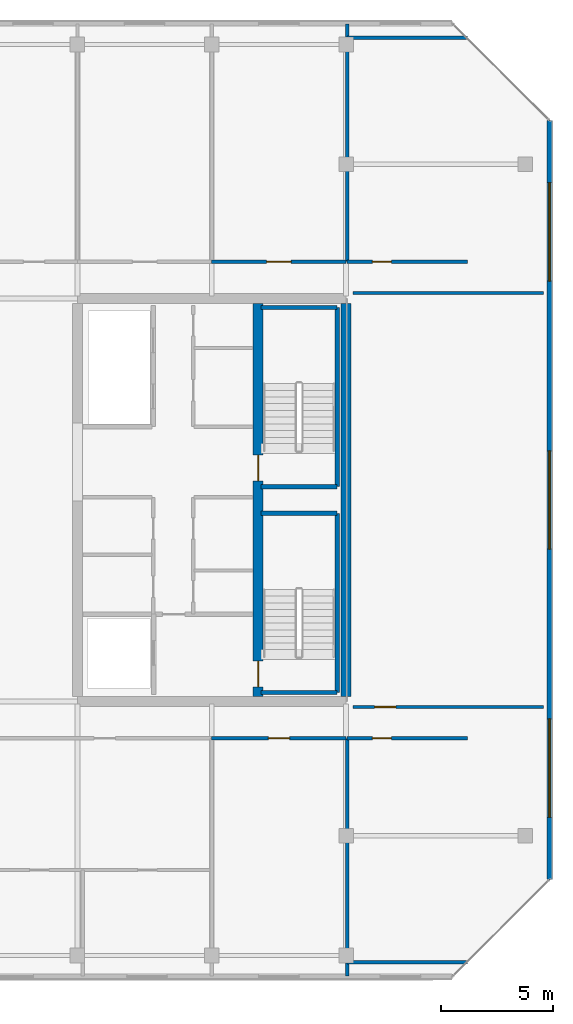
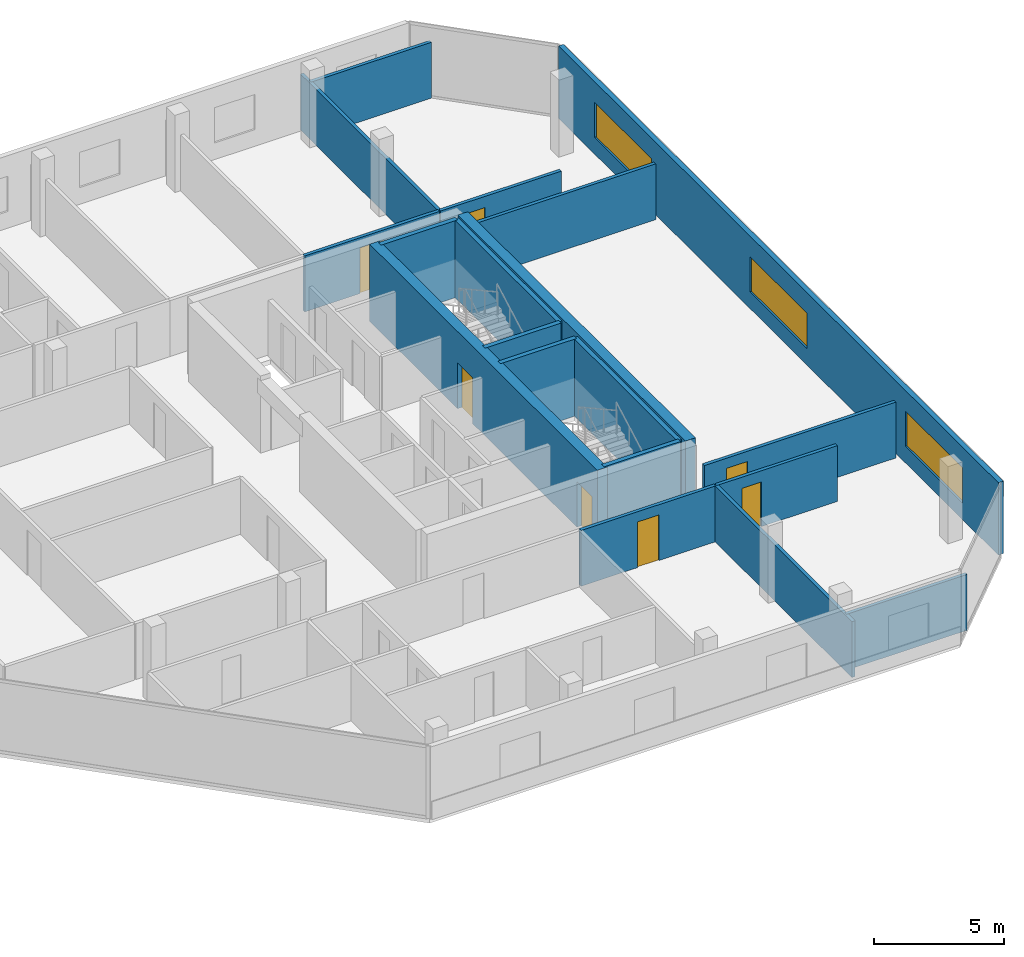
# One storey, part 24 of 28: 19 walls, 7 doors, 3 windows, 10 openings.
"""IFC4 building model written with IfcOpenShell, lengths in metres."""

from ifc_helpers import new_model, si_unit, direction, frame, frame_2d, origin, place, context, subcontext, project, spatial, rectangle, extrude, material, layer, layer_set, type_object, element, fill, save


model = new_model("IFC4")

# Units and contexts
model_context = context("Model", 3, precision=1e-05, world=origin(), true_north=direction((0.0, 1.0)))
body_context = subcontext(model_context, "Body", "Model", "MODEL_VIEW")
ifc_project = project(units=[si_unit("LENGTHUNIT", "METRE"), si_unit("AREAUNIT", "SQUARE_METRE"), si_unit("VOLUMEUNIT", "CUBIC_METRE"), si_unit("PLANEANGLEUNIT", "RADIAN"), si_unit("MASSUNIT", "GRAM", prefix="KILO")], contexts=[model_context])

# Site, building, storey
site_placement = place(None, origin())
site = spatial("IfcSite", under=ifc_project, at=site_placement, CompositionType="ELEMENT")
building_placement = place(site_placement, origin())
building = spatial("IfcBuilding", under=site, at=building_placement, Name="Tanjung Sevakor Pilgrim Tower", CompositionType="ELEMENT")
storey_placement = place(building_placement, frame((0.0, 0.0, 249.81005859375)))
storey = spatial("IfcBuildingStorey", under=building, at=storey_placement, Name="L70", CompositionType="ELEMENT", Elevation=249.81005859375)

# Wall
ifc_material_1 = material(Name="Concrete C60/75", Category="concrete")
ifc_layer_1 = layer(ifc_material_1, 0.449951171875)
ifc_layer_set_1 = layer_set([ifc_layer_1], Name="WALL-CW-450")
wall_type_1 = type_object("IfcWallType", Name="WALL-CW-450", PredefinedType="SHEAR", material=ifc_layer_set_1)
wall_1_placement = place(storey_placement, frame((90.0, 24.824951171875, 0.0), z_axis=(0.0, 0.0, 1.0), x_axis=(0.0, 1.0, 0.0)))
element("IfcWall", 1, at=wall_1_placement, inside=storey, type_object=wall_type_1, Name="L70 E Core Outer Shear Wall", PredefinedType="SHEAR", context=body_context, shape_type="SweptSolid", body=[
    extrude(rectangle(XDim=17.550048828125, YDim=0.449951171875, at=frame_2d((8.77490234375, 0.0))), origin(), (0.0, 0.0, 1.0), 3.6298828125),
])

# Wall, openings, doors
wall_2_placement = place(storey_placement, frame((86.074951171875, 24.824951171875, 0.0), z_axis=(0.0, 0.0, 1.0), x_axis=(0.0, 1.0, 0.0)))
wall_2 = element("IfcWall", 2, at=wall_2_placement, inside=storey, type_object=wall_type_1, Name="L70 E Core Stair Spine Wall", PredefinedType="SHEAR", context=body_context, shape_type="SweptSolid", body=[
    extrude(rectangle(XDim=17.550048828125, YDim=0.449951171875, at=frame_2d((8.77490234375, 0.0))), origin(), (0.0, 0.0, 1.0), 3.6298828125),
])
opening_1_placement = place(wall_2_placement, frame((0.425048828125, 0.0, 0.0)))
opening_1 = element("IfcOpeningElement", 3, at=opening_1_placement, cuts=wall_2, Name="Opening ID-ST1", PredefinedType="OPENING", context=body_context, shape_type="SweptSolid", body=[
    extrude(rectangle(XDim=1.14990234375, YDim=2.14990234375, at=frame_2d((0.574951171875, 1.074951171875))), frame((0.0, 0.23486328125, 0.0), z_axis=(0.0, -1.0, 0.0), x_axis=(1.0, 0.0, 0.0)), (0.0, 0.0, 1.0), 0.469970703125),
])
opening_2_placement = place(wall_2_placement, frame((9.625, 0.0, 0.0)))
opening_2 = element("IfcOpeningElement", 4, at=opening_2_placement, cuts=wall_2, Name="Opening ID-ST1", PredefinedType="OPENING", context=body_context, shape_type="SweptSolid", body=[
    extrude(rectangle(XDim=1.14990234375, YDim=2.14990234375, at=frame_2d((0.574951171875, 1.074951171875))), frame((0.0, 0.23486328125, 0.0), z_axis=(0.0, -1.0, 0.0), x_axis=(1.0, 0.0, 0.0)), (0.0, 0.0, 1.0), 0.469970703125),
])
ifc_material_2 = material(Name="Fire-Rated Steel S355J2", Category="steel")
door_type_1 = type_object("IfcDoorType", Name="DT-FIRE-1150", OperationType="NOTDEFINED", PredefinedType="DOOR", material=ifc_material_2)
door_1_placement = place(opening_1_placement, origin())
door_1 = element("IfcDoor", 5, at=door_1_placement, inside=storey, type_object=door_type_1, Name="L70 TS-E1 Stair Fire Door", OperationType="SINGLE_SWING_LEFT", OverallHeight=2.14990234375, OverallWidth=1.14990234375, PredefinedType="DOOR", context=body_context, shape_type="SweptSolid", body=[
    extrude(rectangle(XDim=1.14990234375, YDim=2.14990234375, at=frame_2d((0.574951171875, 1.074951171875))), frame((0.0, 0.02490234375, 0.0), z_axis=(0.0, -1.0, 0.0), x_axis=(1.0, 0.0, 0.0)), (0.0, 0.0, 1.0), 0.050048828125),
])
fill(opening_1, door_1)
door_2_placement = place(opening_2_placement, origin())
door_2 = element("IfcDoor", 6, at=door_2_placement, inside=storey, type_object=door_type_1, Name="L70 TS-E2 Stair Fire Door", OperationType="SINGLE_SWING_RIGHT", OverallHeight=2.14990234375, OverallWidth=1.14990234375, PredefinedType="DOOR", context=body_context, shape_type="SweptSolid", body=[
    extrude(rectangle(XDim=1.14990234375, YDim=2.14990234375, at=frame_2d((0.574951171875, 1.074951171875))), frame((0.0, 0.02490234375, 0.0), z_axis=(0.0, -1.0, 0.0), x_axis=(1.0, 0.0, 0.0)), (0.0, 0.0, 1.0), 0.050048828125),
])
fill(opening_2, door_2)

# Wall, opening, door
ifc_material_3 = material(Name="Concrete C40/50", Category="concrete")
ifc_layer_2 = layer(ifc_material_3, 0.14990234375)
ifc_layer_set_2 = layer_set([ifc_layer_2], Name="WT-COMP-150")
wall_type_2 = type_object("IfcWallType", Name="WT-COMP-150", PredefinedType="SOLIDWALL", material=ifc_layer_set_2)
wall_3_placement = place(storey_placement, frame((90.300048828125, 24.35009765625, 0.0), z_axis=(0.0, 0.0, 1.0), x_axis=(1.0, 0.0, 0.0)))
wall_3 = element("IfcWall", 7, at=wall_3_placement, inside=storey, type_object=wall_type_2, Name="L70 Partition IW-L70-043", PredefinedType="SOLIDWALL", context=body_context, shape_type="SweptSolid", body=[
    extrude(rectangle(XDim=8.52001953125, YDim=0.14990234375, at=frame_2d((4.260009765625, 0.0))), origin(), (0.0, 0.0, 1.0), 2.6298828125),
])
opening_3_placement = place(wall_3_placement, frame((0.97509765625, 0.0, 0.0)))
opening_3 = element("IfcOpeningElement", 8, at=opening_3_placement, cuts=wall_3, Name="Opening ID-RM1", PredefinedType="OPENING", context=body_context, shape_type="SweptSolid", body=[
    extrude(rectangle(XDim=0.949951171875, YDim=2.14990234375, at=frame_2d((0.47509765625, 1.074951171875))), frame((0.0, 0.0849609375, 0.0), z_axis=(0.0, -1.0, 0.0), x_axis=(1.0, 0.0, 0.0)), (0.0, 0.0, 1.0), 0.169921875),
])
ifc_material_4 = material(Name="Hardwood Timber", Category="wood")
door_type_2 = type_object("IfcDoorType", Name="DT-INT-950", OperationType="NOTDEFINED", PredefinedType="DOOR", material=ifc_material_4)
door_3_placement = place(opening_3_placement, origin())
door_3 = element("IfcDoor", 9, at=door_3_placement, inside=storey, type_object=door_type_2, Name="L70 East Crown Sanctuary Door", OperationType="SINGLE_SWING_RIGHT", OverallHeight=2.14990234375, OverallWidth=0.949951171875, PredefinedType="DOOR", context=body_context, shape_type="SweptSolid", body=[
    extrude(rectangle(XDim=0.949951171875, YDim=2.14990234375, at=frame_2d((0.47509765625, 1.074951171875))), frame((0.0, 0.02490234375, 0.0), z_axis=(0.0, -1.0, 0.0), x_axis=(1.0, 0.0, 0.0)), (0.0, 0.0, 1.0), 0.050048828125),
])
fill(opening_3, door_3)

# Walls
wall_4_placement = place(storey_placement, frame((90.300048828125, 42.85009765625, 0.0), z_axis=(0.0, 0.0, 1.0), x_axis=(1.0, 0.0, 0.0)))
element("IfcWall", 10, at=wall_4_placement, inside=storey, type_object=wall_type_2, Name="L70 Partition IW-L70-044", PredefinedType="SOLIDWALL", context=body_context, shape_type="SweptSolid", body=[
    extrude(rectangle(XDim=8.52001953125, YDim=0.14990234375, at=frame_2d((4.260009765625, 0.0))), origin(), (0.0, 0.0, 1.0), 2.6298828125),
])
wall_5_placement = place(storey_placement, frame((90.050048828125, 12.949951171875, 0.0), z_axis=(0.0, 0.0, 1.0), x_axis=(1.0, 0.0, 0.0)))
element("IfcWall", 11, at=wall_5_placement, inside=storey, type_object=wall_type_2, Name="L70 Partition IW-L70-045", PredefinedType="SOLIDWALL", context=body_context, shape_type="SweptSolid", body=[
    extrude(rectangle(XDim=5.369873046875, YDim=0.14990234375, at=frame_2d((2.68505859375, 0.0))), origin(), (0.0, 0.0, 1.0), 2.6298828125),
])

# Wall, opening, door
wall_6_placement = place(storey_placement, frame((90.050048828125, 22.949951171875, 0.0), z_axis=(0.0, 0.0, 1.0), x_axis=(1.0, 0.0, 0.0)))
wall_6 = element("IfcWall", 12, at=wall_6_placement, inside=storey, type_object=wall_type_2, Name="L70 Partition IW-L70-046", PredefinedType="SOLIDWALL", context=body_context, shape_type="SweptSolid", body=[
    extrude(rectangle(XDim=5.369873046875, YDim=0.14990234375, at=frame_2d((2.68505859375, 0.0))), origin(), (0.0, 0.0, 1.0), 2.6298828125),
])
opening_4_placement = place(wall_6_placement, frame((1.125, 0.0, 0.0)))
opening_4 = element("IfcOpeningElement", 13, at=opening_4_placement, cuts=wall_6, Name="Opening ID-WC1", PredefinedType="OPENING", context=body_context, shape_type="SweptSolid", body=[
    extrude(rectangle(XDim=0.85009765625, YDim=2.10009765625, at=frame_2d((0.425048828125, 1.050048828125))), frame((0.0, 0.0849609375, 0.0), z_axis=(0.0, -1.0, 0.0), x_axis=(1.0, 0.0, 0.0)), (0.0, 0.0, 1.0), 0.169921875),
])
ifc_material_5 = material(Name="Moisture-Resistant Timber", Category="wood")
door_type_3 = type_object("IfcDoorType", Name="DT-INT-850", OperationType="NOTDEFINED", PredefinedType="DOOR", material=ifc_material_5)
door_4_placement = place(opening_4_placement, origin())
door_4 = element("IfcDoor", 14, at=door_4_placement, inside=storey, type_object=door_type_3, Name="L70 SE Crown Study Door", OperationType="SINGLE_SWING_LEFT", OverallHeight=2.10009765625, OverallWidth=0.85009765625, PredefinedType="DOOR", context=body_context, shape_type="SweptSolid", body=[
    extrude(rectangle(XDim=0.85009765625, YDim=2.10009765625, at=frame_2d((0.425048828125, 1.050048828125))), frame((0.0, 0.02490234375, 0.0), z_axis=(0.0, -1.0, 0.0), x_axis=(1.0, 0.0, 0.0)), (0.0, 0.0, 1.0), 0.050048828125),
])
fill(opening_4, door_4)

# Wall
wall_7_placement = place(storey_placement, frame((90.050048828125, 12.340087890625, 0.0), z_axis=(0.0, 0.0, 1.0), x_axis=(0.0, 1.0, 0.0)))
element("IfcWall", 15, at=wall_7_placement, inside=storey, type_object=wall_type_2, Name="L70 Partition IW-L70-047", PredefinedType="SOLIDWALL", context=body_context, shape_type="SweptSolid", body=[
    extrude(rectangle(XDim=10.60986328125, YDim=0.14990234375, at=frame_2d((5.304931640625, 0.0))), origin(), (0.0, 0.0, 1.0), 2.6298828125),
])

# Wall, opening, door
wall_8_placement = place(storey_placement, frame((90.050048828125, 44.25, 0.0), z_axis=(0.0, 0.0, 1.0), x_axis=(1.0, 0.0, 0.0)))
wall_8 = element("IfcWall", 16, at=wall_8_placement, inside=storey, type_object=wall_type_2, Name="L70 Partition IW-L70-048", PredefinedType="SOLIDWALL", context=body_context, shape_type="SweptSolid", body=[
    extrude(rectangle(XDim=5.369873046875, YDim=0.14990234375, at=frame_2d((2.68505859375, 0.0))), origin(), (0.0, 0.0, 1.0), 2.6298828125),
])
opening_5_placement = place(wall_8_placement, frame((1.125, 0.0, 0.0)))
opening_5 = element("IfcOpeningElement", 17, at=opening_5_placement, cuts=wall_8, Name="Opening ID-WC1", PredefinedType="OPENING", context=body_context, shape_type="SweptSolid", body=[
    extrude(rectangle(XDim=0.85009765625, YDim=2.10009765625, at=frame_2d((0.425048828125, 1.050048828125))), frame((0.0, 0.0849609375, 0.0), z_axis=(0.0, -1.0, 0.0), x_axis=(1.0, 0.0, 0.0)), (0.0, 0.0, 1.0), 0.169921875),
])
door_5_placement = place(opening_5_placement, origin())
door_5 = element("IfcDoor", 18, at=door_5_placement, inside=storey, type_object=door_type_3, Name="L70 NE Crown Lounge Door", OperationType="SINGLE_SWING_RIGHT", OverallHeight=2.10009765625, OverallWidth=0.85009765625, PredefinedType="DOOR", context=body_context, shape_type="SweptSolid", body=[
    extrude(rectangle(XDim=0.85009765625, YDim=2.10009765625, at=frame_2d((0.425048828125, 1.050048828125))), frame((0.0, 0.02490234375, 0.0), z_axis=(0.0, -1.0, 0.0), x_axis=(1.0, 0.0, 0.0)), (0.0, 0.0, 1.0), 0.050048828125),
])
fill(opening_5, door_5)

# Walls
wall_9_placement = place(storey_placement, frame((90.050048828125, 54.25, 0.0), z_axis=(0.0, 0.0, 1.0), x_axis=(1.0, 0.0, 0.0)))
element("IfcWall", 19, at=wall_9_placement, inside=storey, type_object=wall_type_2, Name="L70 Partition IW-L70-049", PredefinedType="SOLIDWALL", context=body_context, shape_type="SweptSolid", body=[
    extrude(rectangle(XDim=5.369873046875, YDim=0.14990234375, at=frame_2d((2.68505859375, 0.0))), origin(), (0.0, 0.0, 1.0), 2.6298828125),
])
wall_10_placement = place(storey_placement, frame((90.050048828125, 44.25, 0.0), z_axis=(0.0, 0.0, 1.0), x_axis=(0.0, 1.0, 0.0)))
element("IfcWall", 20, at=wall_10_placement, inside=storey, type_object=wall_type_2, Name="L70 Partition IW-L70-050", PredefinedType="SOLIDWALL", context=body_context, shape_type="SweptSolid", body=[
    extrude(rectangle(XDim=10.610107421875, YDim=0.14990234375, at=frame_2d((5.30517578125, 0.0))), origin(), (0.0, 0.0, 1.0), 2.6298828125),
])

# Wall, opening, door
wall_11_placement = place(storey_placement, frame((84.0, 22.949951171875, 0.0), z_axis=(0.0, 0.0, 1.0), x_axis=(1.0, 0.0, 0.0)))
wall_11 = element("IfcWall", 21, at=wall_11_placement, inside=storey, type_object=wall_type_2, Name="L70 Partition IW-L70-057", PredefinedType="SOLIDWALL", context=body_context, shape_type="SweptSolid", body=[
    extrude(rectangle(XDim=6.0, YDim=0.14990234375, at=frame_2d((3.0, 0.0))), origin(), (0.0, 0.0, 1.0), 2.6298828125),
])
opening_6_placement = place(wall_11_placement, frame((2.52490234375, 0.0, 0.0)))
opening_6 = element("IfcOpeningElement", 22, at=opening_6_placement, cuts=wall_11, Name="Opening ID-FD2", PredefinedType="OPENING", context=body_context, shape_type="SweptSolid", body=[
    extrude(rectangle(XDim=0.949951171875, YDim=2.14990234375, at=frame_2d((0.47509765625, 1.074951171875))), frame((0.0, 0.0849609375, 0.0), z_axis=(0.0, -1.0, 0.0), x_axis=(1.0, 0.0, 0.0)), (0.0, 0.0, 1.0), 0.169921875),
])
ifc_material_6 = material(Name="Fire-Rated Timber", Category="wood")
door_type_4 = type_object("IfcDoorType", Name="DT-FIRE-950", OperationType="NOTDEFINED", PredefinedType="DOOR", material=ifc_material_6)
door_6_placement = place(opening_6_placement, origin())
door_6 = element("IfcDoor", 23, at=door_6_placement, inside=storey, type_object=door_type_4, Name="Housekeeping Pantry Door", OperationType="SINGLE_SWING_RIGHT", OverallHeight=2.14990234375, OverallWidth=0.949951171875, PredefinedType="DOOR", context=body_context, shape_type="SweptSolid", body=[
    extrude(rectangle(XDim=0.949951171875, YDim=2.14990234375, at=frame_2d((0.47509765625, 1.074951171875))), frame((0.0, 0.02490234375, 0.0), z_axis=(0.0, -1.0, 0.0), x_axis=(1.0, 0.0, 0.0)), (0.0, 0.0, 1.0), 0.050048828125),
])
fill(opening_6, door_6)

wall_12_placement = place(storey_placement, frame((84.0, 44.25, 0.0), z_axis=(0.0, 0.0, 1.0), x_axis=(1.0, 0.0, 0.0)))
wall_12 = element("IfcWall", 24, at=wall_12_placement, inside=storey, type_object=wall_type_2, Name="L70 Partition IW-L70-064", PredefinedType="SOLIDWALL", context=body_context, shape_type="SweptSolid", body=[
    extrude(rectangle(XDim=6.0, YDim=0.14990234375, at=frame_2d((3.0, 0.0))), origin(), (0.0, 0.0, 1.0), 2.6298828125),
])
opening_7_placement = place(wall_12_placement, frame((2.449951171875, 0.0, 0.0)))
opening_7 = element("IfcOpeningElement", 25, at=opening_7_placement, cuts=wall_12, Name="Opening ID-FD0", PredefinedType="OPENING", context=body_context, shape_type="SweptSolid", body=[
    extrude(rectangle(XDim=1.10009765625, YDim=2.14990234375, at=frame_2d((0.550048828125, 1.074951171875))), frame((0.0, 0.0849609375, 0.0), z_axis=(0.0, -1.0, 0.0), x_axis=(1.0, 0.0, 0.0)), (0.0, 0.0, 1.0), 0.169921875),
])
ifc_material_7 = material(Name="Fire-Rated Steel S355J2", Category="steel")
door_type_5 = type_object("IfcDoorType", Name="DT-FIRE-1100", OperationType="NOTDEFINED", PredefinedType="DOOR", material=ifc_material_7)
door_7_placement = place(opening_7_placement, origin())
door_7 = element("IfcDoor", 26, at=door_7_placement, inside=storey, type_object=door_type_5, Name="Communal Lounge Door", OperationType="SINGLE_SWING_LEFT", OverallHeight=2.14990234375, OverallWidth=1.10009765625, PredefinedType="DOOR", context=body_context, shape_type="SweptSolid", body=[
    extrude(rectangle(XDim=1.10009765625, YDim=2.14990234375, at=frame_2d((0.550048828125, 1.074951171875))), frame((0.0, 0.02490234375, 0.0), z_axis=(0.0, -1.0, 0.0), x_axis=(1.0, 0.0, 0.0)), (0.0, 0.0, 1.0), 0.050048828125),
])
fill(opening_7, door_7)

# Wall, openings, windows
ifc_material_8 = material(Name="Precast concrete C45/55", Category="concrete")
ifc_layer_3 = layer(ifc_material_8, 0.219970703125)
ifc_layer_set_3 = layer_set([ifc_layer_3], Name="WT-EW-STN4")
wall_type_3 = type_object("IfcWallType", Name="WT-EW-STN4", PredefinedType="SOLIDWALL", material=ifc_layer_set_3)
wall_13_placement = place(storey_placement, frame((99.090087890625, 16.6455078125, 0.0), z_axis=(0.0, 0.0, 1.0), x_axis=(0.0, 1.0, 0.0)))
wall_13 = element("IfcWall", 27, at=wall_13_placement, inside=storey, type_object=wall_type_3, Name="L70 EAST Exterior Wall 3", PredefinedType="SOLIDWALL", context=body_context, shape_type="SweptSolid", body=[
    extrude(rectangle(XDim=33.908935546875, YDim=0.219970703125, at=frame_2d((16.95458984375, 0.0))), origin(), (0.0, 0.0, 1.0), 3.409912109375),
])
opening_8_placement = place(wall_13_placement, frame((14.75439453125, 0.0, 0.780029296875)))
opening_8 = element("IfcOpeningElement", 28, at=opening_8_placement, cuts=wall_13, Name="Opening WN-ENDW-1660", PredefinedType="OPENING", context=body_context, shape_type="SweptSolid", body=[
    extrude(rectangle(XDim=4.39990234375, YDim=1.659912109375, at=frame_2d((2.199951171875, 0.830078125))), frame((0.0, 0.119873046875, 0.0), z_axis=(0.0, -1.0, 0.0), x_axis=(1.0, 0.0, 0.0)), (0.0, 0.0, 1.0), 0.239990234375),
])
opening_9_placement = place(wall_13_placement, frame((2.772216796875, 0.0, 0.780029296875)))
opening_9 = element("IfcOpeningElement", 29, at=opening_9_placement, cuts=wall_13, Name="Opening WN-ENDW-1660", PredefinedType="OPENING", context=body_context, shape_type="SweptSolid", body=[
    extrude(rectangle(XDim=4.39990234375, YDim=1.659912109375, at=frame_2d((2.199951171875, 0.830078125))), frame((0.0, 0.119873046875, 0.0), z_axis=(0.0, -1.0, 0.0), x_axis=(1.0, 0.0, 0.0)), (0.0, 0.0, 1.0), 0.239990234375),
])
opening_10_placement = place(wall_13_placement, frame((26.736572265625, 0.0, 0.780029296875)))
opening_10 = element("IfcOpeningElement", 30, at=opening_10_placement, cuts=wall_13, Name="Opening WN-ENDW-1660", PredefinedType="OPENING", context=body_context, shape_type="SweptSolid", body=[
    extrude(rectangle(XDim=4.39990234375, YDim=1.659912109375, at=frame_2d((2.199951171875, 0.830078125))), frame((0.0, 0.119873046875, 0.0), z_axis=(0.0, -1.0, 0.0), x_axis=(1.0, 0.0, 0.0)), (0.0, 0.0, 1.0), 0.239990234375),
])
ifc_material_9 = material(Name="Thermally Broken Aluminium and Low-E Glass", Category="aluminium")
window_type = type_object("IfcWindowType", Name="WTYP-WN-ENDW-1660", PartitioningType="DOUBLE_PANEL_VERTICAL", PredefinedType="WINDOW", material=ifc_material_9)
window_1_placement = place(opening_8_placement, origin())
window_1 = element("IfcWindow", 31, at=window_1_placement, inside=storey, type_object=window_type, Name="L70 Facade Window 01", OverallHeight=1.659912109375, OverallWidth=4.39990234375, PartitioningType="SINGLE_PANEL", PredefinedType="WINDOW", context=body_context, shape_type="SweptSolid", body=[
    extrude(rectangle(XDim=4.39990234375, YDim=1.659912109375, at=frame_2d((2.199951171875, 0.830078125))), frame((0.0, 0.030029296875, 0.0), z_axis=(0.0, -1.0, 0.0), x_axis=(1.0, 0.0, 0.0)), (0.0, 0.0, 1.0), 0.06005859375),
])
fill(opening_8, window_1)
window_2_placement = place(opening_9_placement, origin())
window_2 = element("IfcWindow", 32, at=window_2_placement, inside=storey, type_object=window_type, Name="L70 Facade Window 02", OverallHeight=1.659912109375, OverallWidth=4.39990234375, PartitioningType="SINGLE_PANEL", PredefinedType="WINDOW", context=body_context, shape_type="SweptSolid", body=[
    extrude(rectangle(XDim=4.39990234375, YDim=1.659912109375, at=frame_2d((2.199951171875, 0.830078125))), frame((0.0, 0.030029296875, 0.0), z_axis=(0.0, -1.0, 0.0), x_axis=(1.0, 0.0, 0.0)), (0.0, 0.0, 1.0), 0.06005859375),
])
fill(opening_9, window_2)
window_3_placement = place(opening_10_placement, origin())
window_3 = element("IfcWindow", 33, at=window_3_placement, inside=storey, type_object=window_type, Name="L70 Facade Window 03", OverallHeight=1.659912109375, OverallWidth=4.39990234375, PartitioningType="SINGLE_PANEL", PredefinedType="WINDOW", context=body_context, shape_type="SweptSolid", body=[
    extrude(rectangle(XDim=4.39990234375, YDim=1.659912109375, at=frame_2d((2.199951171875, 0.830078125))), frame((0.0, 0.030029296875, 0.0), z_axis=(0.0, -1.0, 0.0), x_axis=(1.0, 0.0, 0.0)), (0.0, 0.0, 1.0), 0.06005859375),
])
fill(opening_10, window_3)

# Walls
ifc_material_10 = material(Name="Concrete C40/50", Category="concrete")
ifc_layer_4 = layer(ifc_material_10, 0.199951171875)
ifc_layer_set_4 = layer_set([ifc_layer_4], Name="WT-FIRE-200")
wall_type_4 = type_object("IfcWallType", Name="WT-FIRE-200", PredefinedType="SOLIDWALL", material=ifc_layer_set_4)
wall_14_placement = place(storey_placement, frame((86.199951171875, 25.0, 0.0), z_axis=(0.0, 0.0, 1.0), x_axis=(1.0, 0.0, 0.0)))
element("IfcWall", 34, at=wall_14_placement, inside=storey, type_object=wall_type_4, Name="L70 TS-E1 Shaft Wall 1", PredefinedType="SOLIDWALL", context=body_context, shape_type="SweptSolid", body=[
    extrude(rectangle(XDim=3.400146484375, YDim=0.199951171875, at=frame_2d((1.7001953125, 0.0))), origin(), (0.0, 0.0, 1.0), 3.6298828125),
])
wall_15_placement = place(storey_placement, frame((89.60009765625, 25.0, 0.0), z_axis=(0.0, 0.0, 1.0), x_axis=(0.0, 1.0, 0.0)))
element("IfcWall", 35, at=wall_15_placement, inside=storey, type_object=wall_type_4, Name="L70 TS-E1 Shaft Wall 2", PredefinedType="SOLIDWALL", context=body_context, shape_type="SweptSolid", body=[
    extrude(rectangle(XDim=8.0, YDim=0.199951171875, at=frame_2d((4.0, 0.0))), origin(), (0.0, 0.0, 1.0), 3.6298828125),
])
for number, where, z_axis, x_axis, name in (
    (36, (89.60009765625, 33.0, 0.0), (0.0, 0.0, 1.0), (-1.0, 0.0, 0.0), "L70 TS-E1 Shaft Wall 3"),
    (37, (86.199951171875, 34.199951171875, 0.0), (0.0, 0.0, 1.0), (1.0, 0.0, 0.0), "L70 TS-E2 Shaft Wall 1"),
):
    element("IfcWall", number, at=place(storey_placement, frame(where, z_axis=z_axis, x_axis=x_axis)), inside=storey, type_object=wall_type_4, Name=name, PredefinedType="SOLIDWALL", context=body_context, shape_type="SweptSolid", body=[
        extrude(rectangle(XDim=3.400146484375, YDim=0.199951171875, at=frame_2d((1.7001953125, 0.0))), origin(), (0.0, 0.0, 1.0), 3.6298828125),
    ])
wall_16_placement = place(storey_placement, frame((89.60009765625, 34.199951171875, 0.0), z_axis=(0.0, 0.0, 1.0), x_axis=(0.0, 1.0, 0.0)))
element("IfcWall", 38, at=wall_16_placement, inside=storey, type_object=wall_type_4, Name="L70 TS-E2 Shaft Wall 2", PredefinedType="SOLIDWALL", context=body_context, shape_type="SweptSolid", body=[
    extrude(rectangle(XDim=8.0, YDim=0.199951171875, at=frame_2d((4.0, 0.0))), origin(), (0.0, 0.0, 1.0), 3.6298828125),
])
wall_17_placement = place(storey_placement, frame((89.60009765625, 42.199951171875, 0.0), z_axis=(0.0, 0.0, 1.0), x_axis=(-1.0, 0.0, 0.0)))
element("IfcWall", 39, at=wall_17_placement, inside=storey, type_object=wall_type_4, Name="L70 TS-E2 Shaft Wall 3", PredefinedType="SOLIDWALL", context=body_context, shape_type="SweptSolid", body=[
    extrude(rectangle(XDim=3.400146484375, YDim=0.199951171875, at=frame_2d((1.7001953125, 0.0))), origin(), (0.0, 0.0, 1.0), 3.6298828125),
])

save(model, "model.ifc")
